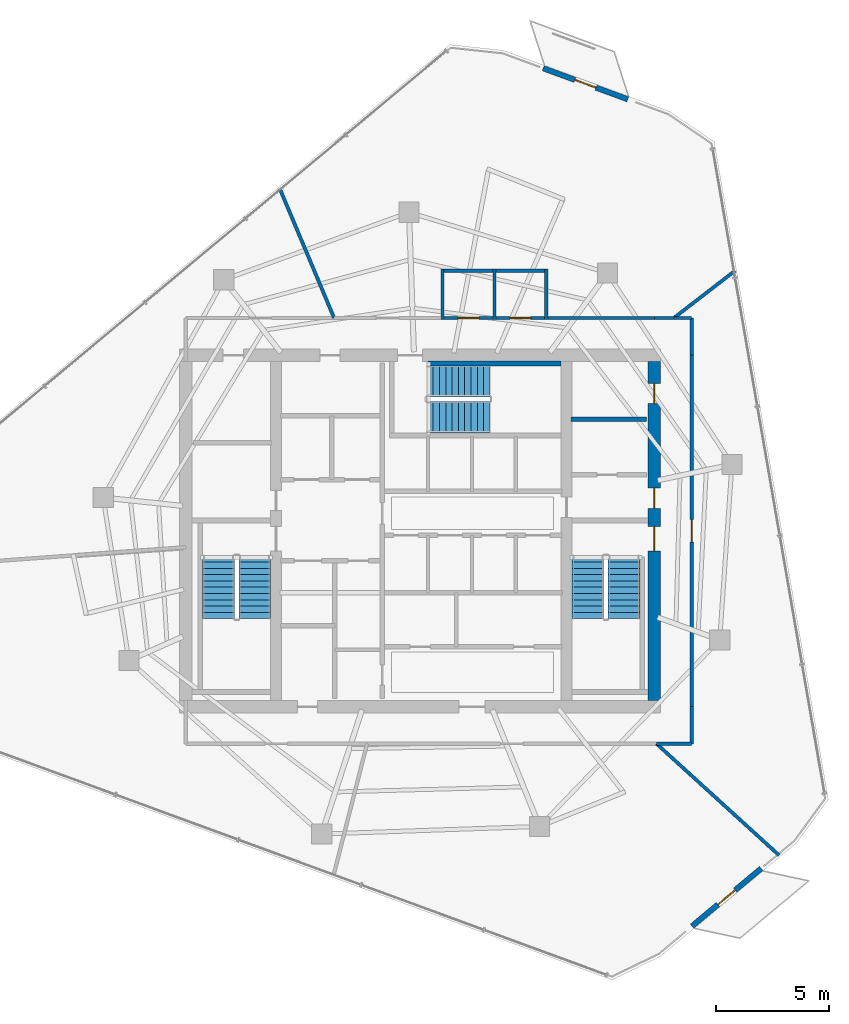
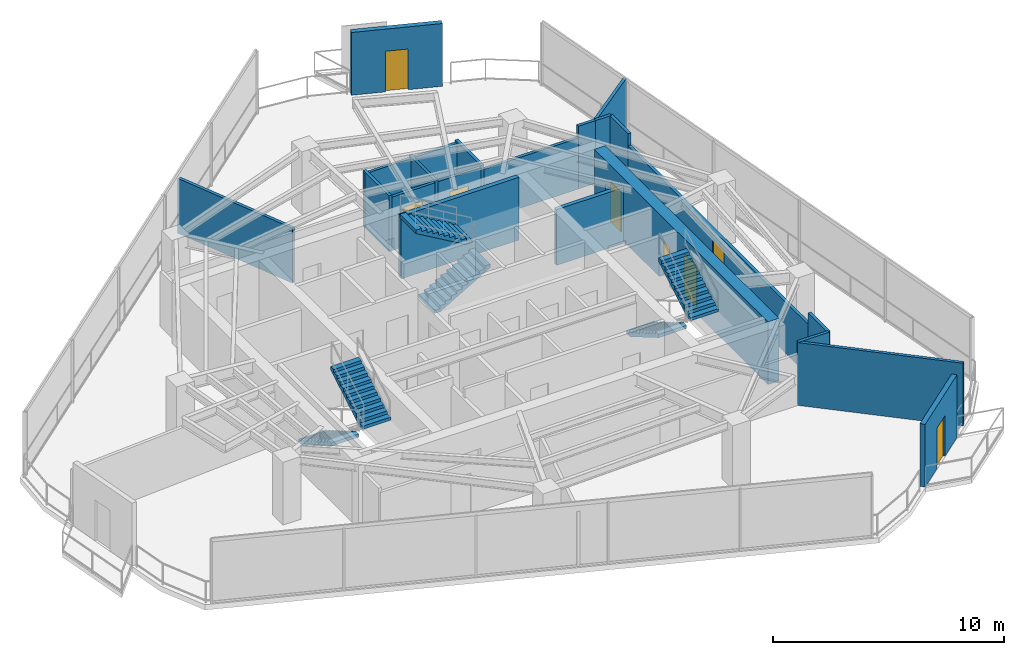
# One storey, part 16 of 18: 22 walls, 8 doors, 6 stair flights, 8 openings, 3 elements without a shape of their own.
"""IFC4 building model written with IfcOpenShell, lengths in metres."""

from ifc_helpers import new_model, si_unit, direction, frame, frame_2d, origin, place, context, subcontext, project, spatial, polyline, rectangle, outline, extrude, material, layer, layer_set, type_object, element, fill, aggregate, save


model = new_model("IFC4")

# Units and contexts
model_context = context("Model", 3, precision=1e-05, world=origin(), true_north=direction((0.0, 1.0)))
body_context = subcontext(model_context, "Body", "Model", "MODEL_VIEW")
ifc_project = project(units=[si_unit("LENGTHUNIT", "METRE"), si_unit("AREAUNIT", "SQUARE_METRE"), si_unit("VOLUMEUNIT", "CUBIC_METRE"), si_unit("PLANEANGLEUNIT", "RADIAN"), si_unit("MASSUNIT", "GRAM", prefix="KILO")], contexts=[model_context])

# Site, building, storey
site_placement = place(None, origin())
site = spatial("IfcSite", under=ifc_project, at=site_placement, CompositionType="ELEMENT")
building_placement = place(site_placement, origin())
building = spatial("IfcBuilding", under=site, at=building_placement, Name="Qarnah Convention Tower", CompositionType="ELEMENT")
storey_placement = place(building_placement, frame((0.0, 0.0, 216.60009765625)))
storey = spatial("IfcBuildingStorey", under=building, at=storey_placement, Name="L58", CompositionType="ELEMENT", Elevation=216.60009765625)

# Wall, openings, doors
ifc_material_1 = material(Name="Concrete C60/75", Category="concrete")
ifc_layer_1 = layer(ifc_material_1, 0.550048828125)
ifc_layer_set_1 = layer_set([ifc_layer_1], Name="Concrete C60/75")
wall_type_1 = type_object("IfcWallType", Name="WL-CORE-550", PredefinedType="SHEAR", material=ifc_layer_set_1)
wall_1_placement = place(storey_placement, frame((47.60009765625, 18.875, 0.0), z_axis=(0.0, 0.0, 1.0), x_axis=(0.0, 1.0, 0.0)))
wall_1 = element("IfcWall", 1, at=wall_1_placement, inside=storey, type_object=wall_type_1, Name="L58 core east shear wall", PredefinedType="SHEAR", context=body_context, shape_type="SweptSolid", body=[
    extrude(rectangle(XDim=15.050048828125, YDim=0.550048828125, at=frame_2d((7.52490234375, 0.0))), origin(), (0.0, 0.0, 1.0), 3.31982421875),
])
opening_1_placement = place(wall_1_placement, frame((6.625, 0.0, 0.0)))
opening_1 = element("IfcOpeningElement", 2, at=opening_1_placement, cuts=wall_1, Name="Opening D-5802", PredefinedType="OPENING", context=body_context, shape_type="SweptSolid", body=[
    extrude(rectangle(XDim=1.10009765625, YDim=2.14990234375, at=frame_2d((0.550048828125, 1.074951171875))), frame((0.0, 0.284912109375, 0.0), z_axis=(0.0, -1.0, 0.0), x_axis=(1.0, 0.0, 0.0)), (0.0, 0.0, 1.0), 0.570068359375),
])
opening_2_placement = place(wall_1_placement, frame((8.52490234375, 0.0, 0.0)))
opening_2 = element("IfcOpeningElement", 3, at=opening_2_placement, cuts=wall_1, Name="Opening D-5806", PredefinedType="OPENING", context=body_context, shape_type="SweptSolid", body=[
    extrude(rectangle(XDim=0.89990234375, YDim=2.10009765625, at=frame_2d((0.449951171875, 1.050048828125))), frame((0.0, 0.284912109375, 0.0), z_axis=(0.0, -1.0, 0.0), x_axis=(1.0, 0.0, 0.0)), (0.0, 0.0, 1.0), 0.570068359375),
])
opening_3_placement = place(wall_1_placement, frame((13.175048828125, 0.0, 0.0)))
opening_3 = element("IfcOpeningElement", 4, at=opening_3_placement, cuts=wall_1, Name="Opening D-5812", PredefinedType="OPENING", context=body_context, shape_type="SweptSolid", body=[
    extrude(rectangle(XDim=0.89990234375, YDim=2.10009765625, at=frame_2d((0.449951171875, 1.050048828125))), frame((0.0, 0.284912109375, 0.0), z_axis=(0.0, -1.0, 0.0), x_axis=(1.0, 0.0, 0.0)), (0.0, 0.0, 1.0), 0.570068359375),
])
ifc_material_2 = material(Name="Structural steel S355JR", Category="steel")
door_type_1 = type_object("IfcDoorType", Name="DT-RISER-900", OperationType="NOTDEFINED", PredefinedType="DOOR", material=ifc_material_2)
door_1_placement = place(opening_2_placement, origin())
door_1 = element("IfcDoor", 5, at=door_1_placement, inside=storey, type_object=door_type_1, Name="Door D-5806", OperationType="SINGLE_SWING_RIGHT", OverallHeight=2.10009765625, OverallWidth=0.89990234375, PredefinedType="DOOR", context=body_context, shape_type="SweptSolid", body=[
    extrude(rectangle(XDim=0.89990234375, YDim=2.10009765625, at=frame_2d((0.449951171875, 1.050048828125))), frame((0.0, 0.02490234375, 0.0), z_axis=(0.0, -1.0, 0.0), x_axis=(1.0, 0.0, 0.0)), (0.0, 0.0, 1.0), 0.050048828125),
])
fill(opening_2, door_1)
door_2_placement = place(opening_3_placement, origin())
door_2 = element("IfcDoor", 6, at=door_2_placement, inside=storey, type_object=door_type_1, Name="Door D-5812", OperationType="SINGLE_SWING_RIGHT", OverallHeight=2.10009765625, OverallWidth=0.89990234375, PredefinedType="DOOR", context=body_context, shape_type="SweptSolid", body=[
    extrude(rectangle(XDim=0.89990234375, YDim=2.10009765625, at=frame_2d((0.449951171875, 1.050048828125))), frame((0.0, 0.02490234375, 0.0), z_axis=(0.0, -1.0, 0.0), x_axis=(1.0, 0.0, 0.0)), (0.0, 0.0, 1.0), 0.050048828125),
])
fill(opening_3, door_2)
door_type_2 = type_object("IfcDoorType", Name="DT-STAIR-1100", OperationType="NOTDEFINED", PredefinedType="DOOR", material=ifc_material_2)
door_3_placement = place(opening_1_placement, origin())
door_3 = element("IfcDoor", 7, at=door_3_placement, inside=storey, type_object=door_type_2, Name="Door D-5802", OperationType="SINGLE_SWING_RIGHT", OverallHeight=2.14990234375, OverallWidth=1.10009765625, PredefinedType="DOOR", context=body_context, shape_type="SweptSolid", body=[
    extrude(rectangle(XDim=1.10009765625, YDim=2.14990234375, at=frame_2d((0.550048828125, 1.074951171875))), frame((0.0, 0.02490234375, 0.0), z_axis=(0.0, -1.0, 0.0), x_axis=(1.0, 0.0, 0.0)), (0.0, 0.0, 1.0), 0.050048828125),
])
fill(opening_1, door_3)

# Walls
ifc_material_3 = material(Name="Concrete C45/55", Category="concrete")
ifc_layer_2 = layer(ifc_material_3, 0.199951171875)
ifc_layer_set_2 = layer_set([ifc_layer_2], Name="Concrete C45/55")
wall_type_2 = type_object("IfcWallType", Name="WL-CORE-PART-200", PredefinedType="SOLIDWALL", material=ifc_layer_set_2)
wall_2_placement = place(storey_placement, frame((43.89990234375, 31.35009765625, 0.0), z_axis=(0.0, 0.0, 1.0), x_axis=(1.0, 0.0, 0.0)))
element("IfcWall", 8, at=wall_2_placement, inside=storey, type_object=wall_type_2, Name="L58 interior wall IW-L58-WTRN", PredefinedType="SOLIDWALL", context=body_context, shape_type="SweptSolid", body=[
    extrude(rectangle(XDim=3.35009765625, YDim=0.199951171875, at=frame_2d((1.675048828125, 0.0))), origin(), (0.0, 0.0, 1.0), 2.948974609375),
])
ifc_layer_3 = layer(ifc_material_1, 0.219970703125)
ifc_layer_set_3 = layer_set([ifc_layer_3], Name="Concrete C60/75")
wall_type_3 = type_object("IfcWallType", Name="WL-CORE-STAIR-220", PredefinedType="SHEAR", material=ifc_layer_set_3)
wall_3_placement = place(storey_placement, frame((37.550048828125, 33.840087890625, 0.0), z_axis=(0.0, 0.0, 1.0), x_axis=(1.0, 0.0, 0.0)))
element("IfcWall", 9, at=wall_3_placement, inside=storey, type_object=wall_type_3, Name="L58 stair shaft shear wall SW-L58-ST3N", PredefinedType="SHEAR", context=body_context, shape_type="SweptSolid", body=[
    extrude(rectangle(XDim=5.89990234375, YDim=0.219970703125, at=frame_2d((2.949951171875, 0.0))), origin(), (0.0, 0.0, 1.0), 3.31982421875),
])

# Wall, opening, door
ifc_material_4 = material(Name="Precast concrete C45/55", Category="concrete")
ifc_layer_4 = layer(ifc_material_4, 0.239990234375)
ifc_layer_set_4 = layer_set([ifc_layer_4], Name="Precast concrete C45/55")
wall_type_4 = type_object("IfcWallType", Name="WL-EXT-BAL-240", PredefinedType="SOLIDWALL", material=ifc_layer_set_4)
wall_4_placement = place(storey_placement, frame((42.6630859375, 46.93603515625, 0.0), z_axis=(0.0, 0.0, 1.0), x_axis=(0.938656451723, -0.344853687291, 0.0)))
wall_4 = element("IfcWall", 10, at=wall_4_placement, inside=storey, type_object=wall_type_4, Name="L58 loggia threshold wall BAL-L58-C1", PredefinedType="SOLIDWALL", context=body_context, shape_type="SweptSolid", body=[
    extrude(rectangle(XDim=3.999267578125, YDim=0.239990234375, at=frame_2d((1.99951171875, 0.0))), origin(), (0.0, 0.0, 1.0), 3.31982421875),
])
opening_4_placement = place(wall_4_placement, frame((1.5, 0.0, 0.0)))
opening_4 = element("IfcOpeningElement", 11, at=opening_4_placement, cuts=wall_4, Name="Opening BD-5801", PredefinedType="OPENING", context=body_context, shape_type="SweptSolid", body=[
    extrude(rectangle(XDim=1.0, YDim=2.14990234375, at=frame_2d((0.5, 1.074951171875))), frame((0.0, 0.1298828125, 0.0), z_axis=(0.0, -1.0, 0.0), x_axis=(1.0, 0.0, 0.0)), (0.0, 0.0, 1.0), 0.260009765625),
])
ifc_material_5 = material(Name="Black anodised aluminium", Category="aluminium")
door_type_3 = type_object("IfcDoorType", Name="DT-BAL-1000", OperationType="NOTDEFINED", PredefinedType="DOOR", material=ifc_material_5)
door_4_placement = place(opening_4_placement, origin())
door_4 = element("IfcDoor", 12, at=door_4_placement, inside=storey, type_object=door_type_3, Name="L58 balcony terrace door BAL-L58-C1", OperationType="SINGLE_SWING_LEFT", OverallHeight=2.14990234375, OverallWidth=1.0, PredefinedType="DOOR", context=body_context, shape_type="SweptSolid", body=[
    extrude(rectangle(XDim=1.0, YDim=2.14990234375, at=frame_2d((0.5, 1.074951171875))), frame((0.0, 0.02490234375, 0.0), z_axis=(0.0, -1.0, 0.0), x_axis=(1.0, 0.0, 0.0)), (0.0, 0.0, 1.0), 0.050048828125),
])
fill(opening_4, door_4)

wall_5_placement = place(storey_placement, frame((52.339111328125, 11.4150390625, 0.0), z_axis=(0.0, 0.0, 1.0), x_axis=(-0.767875917482, -0.640598607048, 0.0)))
wall_5 = element("IfcWall", 13, at=wall_5_placement, inside=storey, type_object=wall_type_4, Name="L58 loggia threshold wall BAL-L58-C3", PredefinedType="SOLIDWALL", context=body_context, shape_type="SweptSolid", body=[
    extrude(rectangle(XDim=3.99951171875, YDim=0.239990234375, at=frame_2d((1.999755859375, 0.0))), origin(), (0.0, 0.0, 1.0), 3.31982421875),
])
opening_5_placement = place(wall_5_placement, frame((1.5, 0.0, 0.0)))
opening_5 = element("IfcOpeningElement", 14, at=opening_5_placement, cuts=wall_5, Name="Opening BD-5803", PredefinedType="OPENING", context=body_context, shape_type="SweptSolid", body=[
    extrude(rectangle(XDim=1.0, YDim=2.14990234375, at=frame_2d((0.5, 1.074951171875))), frame((0.0, 0.1298828125, 0.0), z_axis=(0.0, -1.0, 0.0), x_axis=(1.0, 0.0, 0.0)), (0.0, 0.0, 1.0), 0.260009765625),
])
door_5_placement = place(opening_5_placement, origin())
door_5 = element("IfcDoor", 15, at=door_5_placement, inside=storey, type_object=door_type_3, Name="L58 balcony terrace door BAL-L58-C3", OperationType="SINGLE_SWING_LEFT", OverallHeight=2.14990234375, OverallWidth=1.0, PredefinedType="DOOR", context=body_context, shape_type="SweptSolid", body=[
    extrude(rectangle(XDim=1.0, YDim=2.14990234375, at=frame_2d((0.5, 1.074951171875))), frame((0.0, 0.02490234375, 0.0), z_axis=(0.0, -1.0, 0.0), x_axis=(1.0, 0.0, 0.0)), (0.0, 0.0, 1.0), 0.050048828125),
])
fill(opening_5, door_5)

# Walls
ifc_material_6 = material(Name="Gypsum partition board")
ifc_layer_5 = layer(ifc_material_6, 0.14990234375)
ifc_layer_set_5 = layer_set([ifc_layer_5], Name="Gypsum partition board")
wall_type_5 = type_object("IfcWallType", Name="WL-SUITE-150", PredefinedType="PARTITIONING", material=ifc_layer_set_5)
wall_6_placement = place(storey_placement, frame((30.968994140625, 41.593994140625, 0.0), z_axis=(0.0, 0.0, 1.0), x_axis=(0.387321088954, -0.921944886667, 0.0)))
element("IfcWall", 16, at=wall_6_placement, inside=storey, type_object=wall_type_5, Name="L58 interior wall IW-L58-R-08", PredefinedType="PARTITIONING", context=body_context, shape_type="SweptSolid", body=[
    extrude(rectangle(XDim=6.230224609375, YDim=0.14990234375, at=frame_2d((3.115234375, 0.0))), origin(), (0.0, 0.0, 1.0), 2.90478515625),
])
wall_7_placement = place(storey_placement, frame((42.8701171875, 35.85009765625, 0.0), z_axis=(0.0, 0.0, 1.0), x_axis=(1.0, 0.0, 0.0)))
element("IfcWall", 17, at=wall_7_placement, inside=storey, type_object=wall_type_5, Name="L58 interior wall IW-L58-R-10", PredefinedType="PARTITIONING", context=body_context, shape_type="SweptSolid", body=[
    extrude(rectangle(XDim=4.72998046875, YDim=0.14990234375, at=frame_2d((2.364990234375, 0.0))), origin(), (0.0, 0.0, 1.0), 2.697021484375),
])
wall_8_placement = place(storey_placement, frame((47.60009765625, 35.85009765625, 0.0), z_axis=(0.0, 0.0, 1.0), x_axis=(1.0, 0.0, 0.0)))
element("IfcWall", 18, at=wall_8_placement, inside=storey, type_object=wall_type_5, Name="L58 interior wall IW-L58-R-11", PredefinedType="PARTITIONING", context=body_context, shape_type="SweptSolid", body=[
    extrude(rectangle(XDim=0.86181640625, YDim=0.14990234375, at=frame_2d((0.430908203125, 0.0))), origin(), (0.0, 0.0, 1.0), 3.31982421875),
])
wall_9_placement = place(storey_placement, frame((48.4619140625, 35.85009765625, 0.0), z_axis=(0.0, 0.0, 1.0), x_axis=(0.791659605056, 0.610962412692, 0.0)))
element("IfcWall", 19, at=wall_9_placement, inside=storey, type_object=wall_type_5, Name="L58 interior wall IW-L58-R-12", PredefinedType="PARTITIONING", context=body_context, shape_type="SweptSolid", body=[
    extrude(rectangle(XDim=3.4384765625, YDim=0.14990234375, at=frame_2d((1.71923828125, 0.0))), origin(), (0.0, 0.0, 1.0), 3.31982421875),
])
wall_10_placement = place(storey_placement, frame((53.134033203125, 11.9990234375, 0.0), z_axis=(0.0, 0.0, 1.0), x_axis=(-0.739505838133, 0.673150143258, 0.0)))
element("IfcWall", 20, at=wall_10_placement, inside=storey, type_object=wall_type_5, Name="L58 interior wall IW-L58-R-19", PredefinedType="PARTITIONING", context=body_context, shape_type="SweptSolid", body=[
    extrude(rectangle(XDim=7.35498046875, YDim=0.14990234375, at=frame_2d((3.677490234375, 0.0))), origin(), (0.0, 0.0, 1.0), 3.31982421875),
])
wall_11_placement = place(storey_placement, frame((48.4619140625, 35.85009765625, 0.0), z_axis=(0.0, 0.0, 1.0), x_axis=(1.0, 0.0, 0.0)))
element("IfcWall", 21, at=wall_11_placement, inside=storey, type_object=wall_type_5, Name="L58 interior wall IW-L58-R-21", PredefinedType="PARTITIONING", context=body_context, shape_type="SweptSolid", body=[
    extrude(rectangle(XDim=0.7880859375, YDim=0.14990234375, at=frame_2d((0.39404296875, 0.0))), origin(), (0.0, 0.0, 1.0), 3.31982421875),
])
wall_12_placement = place(storey_placement, frame((49.25, 35.85009765625, 0.0), z_axis=(0.0, 0.0, 1.0), x_axis=(0.0, -1.0, 0.0)))
element("IfcWall", 22, at=wall_12_placement, inside=storey, type_object=wall_type_5, Name="L58 interior wall IW-L58-R-22", PredefinedType="PARTITIONING", context=body_context, shape_type="SweptSolid", body=[
    extrude(rectangle(XDim=1.650146484375, YDim=0.14990234375, at=frame_2d((0.8251953125, 0.0))), origin(), (0.0, 0.0, 1.0), 3.31982421875),
])

# Wall, opening, door
wall_13_placement = place(storey_placement, frame((49.25, 34.199951171875, 0.0), z_axis=(0.0, 0.0, 1.0), x_axis=(0.0, -1.0, 0.0)))
wall_13 = element("IfcWall", 23, at=wall_13_placement, inside=storey, type_object=wall_type_5, Name="L58 interior wall IW-L58-R-23", PredefinedType="PARTITIONING", context=body_context, shape_type="SweptSolid", body=[
    extrude(rectangle(XDim=15.599853515625, YDim=0.14990234375, at=frame_2d((7.7998046875, 0.0))), origin(), (0.0, 0.0, 1.0), 2.697021484375),
])
opening_6_placement = place(wall_13_placement, frame((7.300048828125, 0.0, 0.0)))
opening_6 = element("IfcOpeningElement", 24, at=opening_6_placement, cuts=wall_13, Name="Opening D-5824", PredefinedType="OPENING", context=body_context, shape_type="SweptSolid", body=[
    extrude(rectangle(XDim=1.0, YDim=2.14990234375, at=frame_2d((0.5, 1.074951171875))), frame((0.0, 0.0849609375, 0.0), z_axis=(0.0, -1.0, 0.0), x_axis=(1.0, 0.0, 0.0)), (0.0, 0.0, 1.0), 0.169921875),
])
ifc_material_7 = material(Name="Oak timber veneer", Category="wood")
door_type_4 = type_object("IfcDoorType", Name="DT-OFFICE-1000", OperationType="NOTDEFINED", PredefinedType="DOOR", material=ifc_material_7)
door_6_placement = place(opening_6_placement, origin())
door_6 = element("IfcDoor", 25, at=door_6_placement, inside=storey, type_object=door_type_4, Name="Door D-5824", OperationType="SINGLE_SWING_RIGHT", OverallHeight=2.14990234375, OverallWidth=1.0, PredefinedType="DOOR", context=body_context, shape_type="SweptSolid", body=[
    extrude(rectangle(XDim=1.0, YDim=2.14990234375, at=frame_2d((0.5, 1.074951171875))), frame((0.0, 0.02490234375, 0.0), z_axis=(0.0, -1.0, 0.0), x_axis=(1.0, 0.0, 0.0)), (0.0, 0.0, 1.0), 0.050048828125),
])
fill(opening_6, door_6)

# Walls
wall_14_placement = place(storey_placement, frame((49.25, 18.60009765625, 0.0), z_axis=(0.0, 0.0, 1.0), x_axis=(0.0, -1.0, 0.0)))
element("IfcWall", 26, at=wall_14_placement, inside=storey, type_object=wall_type_5, Name="L58 interior wall IW-L58-R-24", PredefinedType="PARTITIONING", context=body_context, shape_type="SweptSolid", body=[
    extrude(rectangle(XDim=1.650146484375, YDim=0.14990234375, at=frame_2d((0.8251953125, 0.0))), origin(), (0.0, 0.0, 1.0), 3.31982421875),
])
wall_15_placement = place(storey_placement, frame((49.25, 16.949951171875, 0.0), z_axis=(0.0, 0.0, 1.0), x_axis=(-1.0, 0.0, 0.0)))
element("IfcWall", 27, at=wall_15_placement, inside=storey, type_object=wall_type_5, Name="L58 interior wall IW-L58-R-25", PredefinedType="PARTITIONING", context=body_context, shape_type="SweptSolid", body=[
    extrude(rectangle(XDim=1.554931640625, YDim=0.14990234375, at=frame_2d((0.77734375, 0.0))), origin(), (0.0, 0.0, 1.0), 3.31982421875),
])

# Wall, opening, door
ifc_layer_6 = layer(ifc_material_6, 0.139892578125)
ifc_layer_set_6 = layer_set([ifc_layer_6], Name="Gypsum partition board")
wall_type_6 = type_object("IfcWallType", Name="WL-WET-140", PredefinedType="PARTITIONING", material=ifc_layer_set_6)
wall_16_placement = place(storey_placement, frame((38.1298828125, 35.85009765625, 0.0), z_axis=(0.0, 0.0, 1.0), x_axis=(1.0, 0.0, 0.0)))
wall_16 = element("IfcWall", 28, at=wall_16_placement, inside=storey, type_object=wall_type_6, Name="L58 interior wall IW-L58-WCM-1", PredefinedType="PARTITIONING", context=body_context, shape_type="SweptSolid", body=[
    extrude(rectangle(XDim=2.440185546875, YDim=0.139892578125, at=frame_2d((1.22021484375, 0.0))), origin(), (0.0, 0.0, 1.0), 2.8408203125),
])
opening_7_placement = place(wall_16_placement, frame((0.760009765625, 0.0, 0.0)))
opening_7 = element("IfcOpeningElement", 29, at=opening_7_placement, cuts=wall_16, Name="Opening D-5818", PredefinedType="OPENING", context=body_context, shape_type="SweptSolid", body=[
    extrude(rectangle(XDim=0.919921875, YDim=2.10009765625, at=frame_2d((0.4599609375, 1.050048828125))), frame((0.0, 0.079833984375, 0.0), z_axis=(0.0, -1.0, 0.0), x_axis=(1.0, 0.0, 0.0)), (0.0, 0.0, 1.0), 0.159912109375),
])
door_type_5 = type_object("IfcDoorType", Name="DT-WC-920", OperationType="NOTDEFINED", PredefinedType="DOOR", material=ifc_material_7)
door_7_placement = place(opening_7_placement, origin())
door_7 = element("IfcDoor", 30, at=door_7_placement, inside=storey, type_object=door_type_5, Name="Door D-5818", OperationType="SINGLE_SWING_RIGHT", OverallHeight=2.10009765625, OverallWidth=0.919921875, PredefinedType="DOOR", context=body_context, shape_type="SweptSolid", body=[
    extrude(rectangle(XDim=0.919921875, YDim=2.10009765625, at=frame_2d((0.4599609375, 1.050048828125))), frame((0.0, 0.02490234375, 0.0), z_axis=(0.0, -1.0, 0.0), x_axis=(1.0, 0.0, 0.0)), (0.0, 0.0, 1.0), 0.050048828125),
])
fill(opening_7, door_7)

# Walls
wall_17_placement = place(storey_placement, frame((40.5, 35.780029296875, 0.0), z_axis=(0.0, 0.0, 1.0), x_axis=(0.0, 1.0, 0.0)))
element("IfcWall", 31, at=wall_17_placement, inside=storey, type_object=wall_type_6, Name="L58 interior wall IW-L58-WCM-2", PredefinedType="PARTITIONING", context=body_context, shape_type="SweptSolid", body=[
    extrude(rectangle(XDim=2.239990234375, YDim=0.139892578125, at=frame_2d((1.1201171875, 0.0))), origin(), (0.0, 0.0, 1.0), 2.948974609375),
])
wall_18_placement = place(storey_placement, frame((40.570068359375, 37.949951171875, 0.0), z_axis=(0.0, 0.0, 1.0), x_axis=(-1.0, 0.0, 0.0)))
element("IfcWall", 32, at=wall_18_placement, inside=storey, type_object=wall_type_6, Name="L58 interior wall IW-L58-WCM-3", PredefinedType="PARTITIONING", context=body_context, shape_type="SweptSolid", body=[
    extrude(rectangle(XDim=2.440185546875, YDim=0.139892578125, at=frame_2d((1.22021484375, 0.0))), origin(), (0.0, 0.0, 1.0), 2.8408203125),
])
wall_19_placement = place(storey_placement, frame((38.199951171875, 38.02001953125, 0.0), z_axis=(0.0, 0.0, 1.0), x_axis=(0.0, -1.0, 0.0)))
element("IfcWall", 33, at=wall_19_placement, inside=storey, type_object=wall_type_6, Name="L58 interior wall IW-L58-WCM-4", PredefinedType="PARTITIONING", context=body_context, shape_type="SweptSolid", body=[
    extrude(rectangle(XDim=2.239990234375, YDim=0.139892578125, at=frame_2d((1.1201171875, 0.0))), origin(), (0.0, 0.0, 1.0), 2.948974609375),
])

# Wall, opening, door
wall_20_placement = place(storey_placement, frame((40.429931640625, 35.85009765625, 0.0), z_axis=(0.0, 0.0, 1.0), x_axis=(1.0, 0.0, 0.0)))
wall_20 = element("IfcWall", 34, at=wall_20_placement, inside=storey, type_object=wall_type_6, Name="L58 interior wall IW-L58-WCF-1", PredefinedType="PARTITIONING", context=body_context, shape_type="SweptSolid", body=[
    extrude(rectangle(XDim=2.440185546875, YDim=0.139892578125, at=frame_2d((1.22021484375, 0.0))), origin(), (0.0, 0.0, 1.0), 2.8408203125),
])
opening_8_placement = place(wall_20_placement, frame((0.760009765625, 0.0, 0.0)))
opening_8 = element("IfcOpeningElement", 35, at=opening_8_placement, cuts=wall_20, Name="Opening D-5819", PredefinedType="OPENING", context=body_context, shape_type="SweptSolid", body=[
    extrude(rectangle(XDim=0.919921875, YDim=2.10009765625, at=frame_2d((0.4599609375, 1.050048828125))), frame((0.0, 0.079833984375, 0.0), z_axis=(0.0, -1.0, 0.0), x_axis=(1.0, 0.0, 0.0)), (0.0, 0.0, 1.0), 0.159912109375),
])
door_8_placement = place(opening_8_placement, origin())
door_8 = element("IfcDoor", 36, at=door_8_placement, inside=storey, type_object=door_type_5, Name="Door D-5819", OperationType="SINGLE_SWING_LEFT", OverallHeight=2.10009765625, OverallWidth=0.919921875, PredefinedType="DOOR", context=body_context, shape_type="SweptSolid", body=[
    extrude(rectangle(XDim=0.919921875, YDim=2.10009765625, at=frame_2d((0.4599609375, 1.050048828125))), frame((0.0, 0.02490234375, 0.0), z_axis=(0.0, -1.0, 0.0), x_axis=(1.0, 0.0, 0.0)), (0.0, 0.0, 1.0), 0.050048828125),
])
fill(opening_8, door_8)

# Walls
wall_21_placement = place(storey_placement, frame((42.800048828125, 35.780029296875, 0.0), z_axis=(0.0, 0.0, 1.0), x_axis=(0.0, 1.0, 0.0)))
element("IfcWall", 37, at=wall_21_placement, inside=storey, type_object=wall_type_6, Name="L58 interior wall IW-L58-WCF-2", PredefinedType="PARTITIONING", context=body_context, shape_type="SweptSolid", body=[
    extrude(rectangle(XDim=2.239990234375, YDim=0.139892578125, at=frame_2d((1.1201171875, 0.0))), origin(), (0.0, 0.0, 1.0), 2.948974609375),
])
wall_22_placement = place(storey_placement, frame((42.8701171875, 37.949951171875, 0.0), z_axis=(0.0, 0.0, 1.0), x_axis=(-1.0, 0.0, 0.0)))
element("IfcWall", 38, at=wall_22_placement, inside=storey, type_object=wall_type_6, Name="L58 interior wall IW-L58-WCF-3", PredefinedType="PARTITIONING", context=body_context, shape_type="SweptSolid", body=[
    extrude(rectangle(XDim=2.440185546875, YDim=0.139892578125, at=frame_2d((1.22021484375, 0.0))), origin(), (0.0, 0.0, 1.0), 2.8408203125),
])

# Stair, stair flights
ifc_material_8 = material(Name="Concrete C50/60", Category="concrete")
stair_type = type_object("IfcStairType", Name="STR-OFF", PredefinedType="HALF_TURN_STAIR", material=ifc_material_8)
stair_1_placement = place(storey_placement, origin())
stair_1 = element("IfcStair", 39, at=stair_1_placement, inside=storey, type_object=stair_type, Name="L58 Core exit stair ST-1", PredefinedType="HALF_TURN_STAIR")
stair_flight_type = type_object("IfcStairFlightType", Name="FLT-OFF", PredefinedType="STRAIGHT", material=ifc_material_8)
stair_flight_1_placement = place(storey_placement, frame((28.25, 25.300048828125, 0.0), z_axis=(0.0, 0.0, 1.0), x_axis=(0.0, -1.0, 0.0)))
stair_flight_1 = element("IfcStairFlight", 40, at=stair_flight_1_placement, type_object=stair_flight_type, Name="ST-1 flight 1", NumberOfRisers=11, NumberOfTreads=10, PredefinedType="STRAIGHT", RiserHeight=0.163636364, TreadLength=0.28, context=body_context, shape_type="SweptSolid", body=[
    extrude(outline(polyline([(0.0, 0.0), (0.0, 0.16357421875), (0.280029296875, 0.16357421875), (0.280029296875, 0.327392578125), (0.56005859375, 0.327392578125), (0.56005859375, 0.490966796875), (0.840087890625, 0.490966796875), (0.840087890625, 0.654541015625), (1.1201171875, 0.654541015625), (1.1201171875, 0.818115234375), (1.39990234375, 0.818115234375), (1.39990234375, 0.98193359375), (1.679931640625, 0.98193359375), (1.679931640625, 1.1455078125), (1.9599609375, 1.1455078125), (1.9599609375, 1.30908203125), (2.239990234375, 1.30908203125), (2.239990234375, 1.47265625), (2.52001953125, 1.47265625), (2.52001953125, 1.636474609375), (2.800048828125, 1.636474609375), (2.800048828125, 1.800048828125), (2.800048828125, 1.462646484375), (0.297119140625, 0.0), (0.0, 0.0)])), frame((0.0, 0.699951171875, 0.0), z_axis=(0.0, -1.0, 0.0), x_axis=(1.0, 0.0, 0.0)), (0.0, 0.0, 1.0), 1.39990234375),
])
stair_flight_2_placement = place(storey_placement, frame((29.85009765625, 22.5, 1.7998046875), z_axis=(0.0, 0.0, 1.0), x_axis=(0.0, 1.0, 0.0)))
stair_flight_2 = element("IfcStairFlight", 41, at=stair_flight_2_placement, type_object=stair_flight_type, Name="ST-1 flight 2", NumberOfRisers=11, NumberOfTreads=10, PredefinedType="STRAIGHT", RiserHeight=0.163636364, TreadLength=0.28, context=body_context, shape_type="SweptSolid", body=[
    extrude(outline(polyline([(0.0, 0.0), (0.0, 0.16357421875), (0.280029296875, 0.16357421875), (0.280029296875, 0.327392578125), (0.56005859375, 0.327392578125), (0.56005859375, 0.490966796875), (0.840087890625, 0.490966796875), (0.840087890625, 0.654541015625), (1.1201171875, 0.654541015625), (1.1201171875, 0.818115234375), (1.39990234375, 0.818115234375), (1.39990234375, 0.98193359375), (1.679931640625, 0.98193359375), (1.679931640625, 1.1455078125), (1.9599609375, 1.1455078125), (1.9599609375, 1.30908203125), (2.239990234375, 1.30908203125), (2.239990234375, 1.47265625), (2.52001953125, 1.47265625), (2.52001953125, 1.636474609375), (2.800048828125, 1.636474609375), (2.800048828125, 1.800048828125), (2.800048828125, 1.462646484375), (0.297119140625, 0.0), (0.0, 0.0)])), frame((0.0, 0.699951171875, 0.0), z_axis=(0.0, -1.0, 0.0), x_axis=(1.0, 0.0, 0.0)), (0.0, 0.0, 1.0), 1.39990234375),
])
aggregate(stair_1, [stair_flight_1, stair_flight_2])

stair_2_placement = place(storey_placement, origin())
stair_2 = element("IfcStair", 42, at=stair_2_placement, inside=storey, type_object=stair_type, Name="L58 Core exit stair ST-2", PredefinedType="HALF_TURN_STAIR")
stair_flight_3_placement = place(storey_placement, frame((44.64990234375, 25.300048828125, 0.0), z_axis=(0.0, 0.0, 1.0), x_axis=(0.0, -1.0, 0.0)))
stair_flight_3 = element("IfcStairFlight", 43, at=stair_flight_3_placement, type_object=stair_flight_type, Name="ST-2 flight 1", NumberOfRisers=11, NumberOfTreads=10, PredefinedType="STRAIGHT", RiserHeight=0.163636364, TreadLength=0.28, context=body_context, shape_type="SweptSolid", body=[
    extrude(outline(polyline([(0.0, 0.0), (0.0, 0.16357421875), (0.280029296875, 0.16357421875), (0.280029296875, 0.327392578125), (0.56005859375, 0.327392578125), (0.56005859375, 0.490966796875), (0.840087890625, 0.490966796875), (0.840087890625, 0.654541015625), (1.1201171875, 0.654541015625), (1.1201171875, 0.818115234375), (1.39990234375, 0.818115234375), (1.39990234375, 0.98193359375), (1.679931640625, 0.98193359375), (1.679931640625, 1.1455078125), (1.9599609375, 1.1455078125), (1.9599609375, 1.30908203125), (2.239990234375, 1.30908203125), (2.239990234375, 1.47265625), (2.52001953125, 1.47265625), (2.52001953125, 1.636474609375), (2.800048828125, 1.636474609375), (2.800048828125, 1.800048828125), (2.800048828125, 1.462646484375), (0.297119140625, 0.0), (0.0, 0.0)])), frame((0.0, 0.699951171875, 0.0), z_axis=(0.0, -1.0, 0.0), x_axis=(1.0, 0.0, 0.0)), (0.0, 0.0, 1.0), 1.39990234375),
])
stair_flight_4_placement = place(storey_placement, frame((46.25, 22.5, 1.7998046875), z_axis=(0.0, 0.0, 1.0), x_axis=(0.0, 1.0, 0.0)))
stair_flight_4 = element("IfcStairFlight", 44, at=stair_flight_4_placement, type_object=stair_flight_type, Name="ST-2 flight 2", NumberOfRisers=11, NumberOfTreads=10, PredefinedType="STRAIGHT", RiserHeight=0.163636364, TreadLength=0.28, context=body_context, shape_type="SweptSolid", body=[
    extrude(outline(polyline([(0.0, 0.0), (0.0, 0.16357421875), (0.280029296875, 0.16357421875), (0.280029296875, 0.327392578125), (0.56005859375, 0.327392578125), (0.56005859375, 0.490966796875), (0.840087890625, 0.490966796875), (0.840087890625, 0.654541015625), (1.1201171875, 0.654541015625), (1.1201171875, 0.818115234375), (1.39990234375, 0.818115234375), (1.39990234375, 0.98193359375), (1.679931640625, 0.98193359375), (1.679931640625, 1.1455078125), (1.9599609375, 1.1455078125), (1.9599609375, 1.30908203125), (2.239990234375, 1.30908203125), (2.239990234375, 1.47265625), (2.52001953125, 1.47265625), (2.52001953125, 1.636474609375), (2.800048828125, 1.636474609375), (2.800048828125, 1.800048828125), (2.800048828125, 1.462646484375), (0.297119140625, 0.0), (0.0, 0.0)])), frame((0.0, 0.699951171875, 0.0), z_axis=(0.0, -1.0, 0.0), x_axis=(1.0, 0.0, 0.0)), (0.0, 0.0, 1.0), 1.39990234375),
])
aggregate(stair_2, [stair_flight_3, stair_flight_4])

stair_3_placement = place(storey_placement, origin())
stair_3 = element("IfcStair", 45, at=stair_3_placement, inside=storey, type_object=stair_type, Name="L58 Core exit stair ST-3", PredefinedType="HALF_TURN_STAIR")
stair_flight_5_placement = place(storey_placement, frame((37.5, 31.449951171875, 0.0), z_axis=(0.0, 0.0, 1.0), x_axis=(1.0, 0.0, 0.0)))
stair_flight_5 = element("IfcStairFlight", 46, at=stair_flight_5_placement, type_object=stair_flight_type, Name="ST-3 flight 1", NumberOfRisers=11, NumberOfTreads=10, PredefinedType="STRAIGHT", RiserHeight=0.163636364, TreadLength=0.28, context=body_context, shape_type="SweptSolid", body=[
    extrude(outline(polyline([(0.0, 0.0), (0.0, 0.16357421875), (0.280029296875, 0.16357421875), (0.280029296875, 0.327392578125), (0.56005859375, 0.327392578125), (0.56005859375, 0.490966796875), (0.840087890625, 0.490966796875), (0.840087890625, 0.654541015625), (1.1201171875, 0.654541015625), (1.1201171875, 0.818115234375), (1.39990234375, 0.818115234375), (1.39990234375, 0.98193359375), (1.679931640625, 0.98193359375), (1.679931640625, 1.1455078125), (1.9599609375, 1.1455078125), (1.9599609375, 1.30908203125), (2.239990234375, 1.30908203125), (2.239990234375, 1.47265625), (2.52001953125, 1.47265625), (2.52001953125, 1.636474609375), (2.800048828125, 1.636474609375), (2.800048828125, 1.800048828125), (2.800048828125, 1.462646484375), (0.297119140625, 0.0), (0.0, 0.0)])), frame((0.0, 0.699951171875, 0.0), z_axis=(0.0, -1.0, 0.0), x_axis=(1.0, 0.0, 0.0)), (0.0, 0.0, 1.0), 1.39990234375),
])
stair_flight_6_placement = place(storey_placement, frame((40.300048828125, 33.050048828125, 1.7998046875), z_axis=(0.0, 0.0, 1.0), x_axis=(-1.0, 0.0, 0.0)))
stair_flight_6 = element("IfcStairFlight", 47, at=stair_flight_6_placement, type_object=stair_flight_type, Name="ST-3 flight 2", NumberOfRisers=11, NumberOfTreads=10, PredefinedType="STRAIGHT", RiserHeight=0.163636364, TreadLength=0.28, context=body_context, shape_type="SweptSolid", body=[
    extrude(outline(polyline([(0.0, 0.0), (0.0, 0.16357421875), (0.280029296875, 0.16357421875), (0.280029296875, 0.327392578125), (0.56005859375, 0.327392578125), (0.56005859375, 0.490966796875), (0.840087890625, 0.490966796875), (0.840087890625, 0.654541015625), (1.1201171875, 0.654541015625), (1.1201171875, 0.818115234375), (1.39990234375, 0.818115234375), (1.39990234375, 0.98193359375), (1.679931640625, 0.98193359375), (1.679931640625, 1.1455078125), (1.9599609375, 1.1455078125), (1.9599609375, 1.30908203125), (2.239990234375, 1.30908203125), (2.239990234375, 1.47265625), (2.52001953125, 1.47265625), (2.52001953125, 1.636474609375), (2.800048828125, 1.636474609375), (2.800048828125, 1.800048828125), (2.800048828125, 1.462646484375), (0.297119140625, 0.0), (0.0, 0.0)])), frame((0.0, 0.699951171875, 0.0), z_axis=(0.0, -1.0, 0.0), x_axis=(1.0, 0.0, 0.0)), (0.0, 0.0, 1.0), 1.39990234375),
])
aggregate(stair_3, [stair_flight_5, stair_flight_6])

save(model, "model.ifc")
